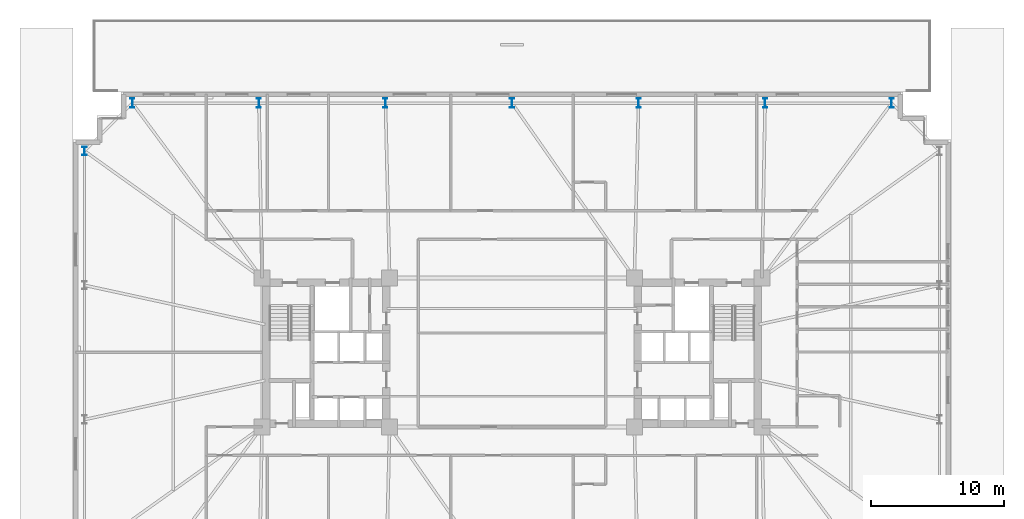
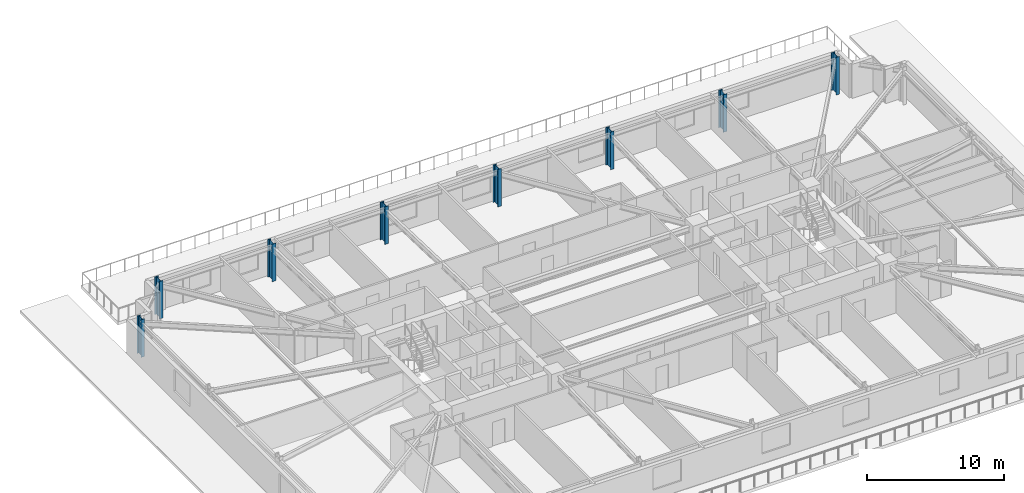
# One storey, part 2 of 21: 8 columns.
"""IFC4 building model written with IfcOpenShell, lengths in metres."""

import ifcopenshell
import ifcopenshell.guid

model = None  # the IFC model being written
_history = None  # IfcOwnerHistory: only IFC2X3 demands one
_inside = {}  # id of a spatial element -> (the spatial element, [elements in it])
_under = {}  # id of a project, library or spatial element -> (it, [spatial elements below it])
_declared = {}  # id of a project -> (the project, [libraries it declares])
_typed = {}  # id of a type object -> (the type object, [elements of that type])
_made_of = {}  # id of a material, layer set ... -> (it, [elements and type objects made of it])


def new_model(schema):
    """Start an empty IFC model of exactly this schema.

    Asked for "IFC4X3", IfcOpenShell would pick the latest addendum, in which some entities
    have other attributes; the version numbers below select the first issue.
    IFC2X3 requires an IfcOwnerHistory on every rooted entity: one is made here for all.
    """
    global model, _history
    if schema == "IFC4X3":
        model = ifcopenshell.file(schema_version=(4, 3, 0, 0))
    else:
        model = ifcopenshell.file(schema=schema)
    _inside.clear()
    _under.clear()
    _declared.clear()
    _typed.clear()
    _made_of.clear()
    _history = None
    if model.schema == "IFC2X3":
        org = make("IfcOrganization", Name="unknown")
        user = make(
            "IfcPersonAndOrganization",
            ThePerson=make("IfcPerson", FamilyName="unknown"),
            TheOrganization=org,
        )
        app = make(
            "IfcApplication",
            ApplicationDeveloper=org,
            Version="unknown",
            ApplicationFullName="unknown",
            ApplicationIdentifier="unknown",
        )
        _history = make(
            "IfcOwnerHistory",
            OwningUser=user,
            OwningApplication=app,
            ChangeAction="ADDED",
            CreationDate=0,
        )
    return model


def make(cls, **values):
    """One entity of the class cls with the attributes given. An attribute that is None is left unset."""
    return model.create_entity(
        cls, **{name: value for name, value in values.items() if value is not None}
    )


def rooted(cls, **values):
    """An entity with a GlobalId (a new one), such as an element, a storey or a relation."""
    return make(cls, GlobalId=ifcopenshell.guid.new(), OwnerHistory=_history, **values)


def si_unit(unit_type, name, prefix=None):
    """IfcSIUnit, for example si_unit("LENGTHUNIT", "METRE", prefix="MILLI")."""
    return make("IfcSIUnit", UnitType=unit_type, Prefix=prefix, Name=name)


def assignment(units):
    """IfcUnitAssignment: the units of a project."""
    return None if units is None else make("IfcUnitAssignment", Units=units)


def point(xyz):
    """IfcCartesianPoint."""
    return None if xyz is None else make("IfcCartesianPoint", Coordinates=xyz)


def direction(xyz):
    """IfcDirection."""
    return None if xyz is None else make("IfcDirection", DirectionRatios=xyz)


def frame(location, z_axis=None, x_axis=None):
    """IfcAxis2Placement3D, a coordinate frame: its origin and axes. An axis left out is left unset."""
    return make(
        "IfcAxis2Placement3D",
        Location=point(location),
        Axis=direction(z_axis),
        RefDirection=direction(x_axis),
    )


def frame_2d(location, x_axis=None):
    """IfcAxis2Placement2D, a coordinate frame in the plane: its origin and x axis."""
    return make(
        "IfcAxis2Placement2D", Location=point(location), RefDirection=direction(x_axis)
    )


def origin():
    """The frame at (0, 0, 0) with its axes left unset."""
    return frame((0.0, 0.0, 0.0))


def origin_2d():
    """The frame at (0, 0) in the plane with its x axis left unset."""
    return frame_2d((0.0, 0.0))


def place(relative_to, where):
    """IfcLocalPlacement: puts the frame where relative to a parent placement (None: the world)."""
    return make(
        "IfcLocalPlacement", PlacementRelTo=relative_to, RelativePlacement=where
    )


def context(
    kind, dimensions, precision=None, world=None, true_north=None, identifier=None
):
    """IfcGeometricRepresentationContext, for example the 3D "Model" context."""
    return make(
        "IfcGeometricRepresentationContext",
        ContextIdentifier=identifier,
        ContextType=kind,
        CoordinateSpaceDimension=dimensions,
        Precision=precision,
        WorldCoordinateSystem=world,
        TrueNorth=true_north,
    )


def subcontext(parent, identifier, kind, view, scale=None):
    """IfcGeometricRepresentationSubContext, for example "Body" below "Model"."""
    return make(
        "IfcGeometricRepresentationSubContext",
        ContextIdentifier=identifier,
        ContextType=kind,
        ParentContext=parent,
        TargetScale=scale,
        TargetView=view,
    )


def project(units=None, contexts=None):
    """IfcProject with its units and contexts."""
    return rooted(
        "IfcProject",
        Name="project",
        RepresentationContexts=contexts,
        UnitsInContext=assignment(units),
    )


def spatial(cls, under=None, at=None, **own):
    """A site, building, storey or space (cls), placed at a placement, below another one or the project."""
    s = rooted(cls, ObjectPlacement=at, **own)
    if under is not None:
        _under.setdefault(under.id(), (under, []))[1].append(s)
    return s


def profile(cls, at=None, kind="AREA", **sizes):
    """A parametric profile (cls). Its sizes go by their IFC names, for example OverallWidth=200.0."""
    return make(cls, ProfileType=kind, Position=at, **sizes)


def i_section(**sizes):
    """IfcIShapeProfileDef."""
    return profile("IfcIShapeProfileDef", **sizes)


def extrude(swept, where, along, depth):
    """IfcExtrudedAreaSolid: the profile swept, set in the frame where, extruded along a direction by depth."""
    return make(
        "IfcExtrudedAreaSolid",
        SweptArea=swept,
        Position=where,
        ExtrudedDirection=direction(along),
        Depth=depth,
    )


def shape(context_of_items, identifier, shape_type, items):
    """IfcShapeRepresentation: the items that make up one representation, for example the "Body"."""
    return make(
        "IfcShapeRepresentation",
        ContextOfItems=context_of_items,
        RepresentationIdentifier=identifier,
        RepresentationType=shape_type,
        Items=items,
    )


def material(Name=None, Category=None):
    """IfcMaterial."""
    return make("IfcMaterial", Name=Name, Category=Category)


def material_profile(
    of_material, cross_section, Name=None, Category=None, Priority=None
):
    """IfcMaterialProfile: a cross section and its material."""
    return make(
        "IfcMaterialProfile",
        Name=Name,
        Material=of_material,
        Profile=cross_section,
        Priority=Priority,
        Category=Category,
    )


def profile_set(profiles, Name=None, composite=None):
    """IfcMaterialProfileSet."""
    return make(
        "IfcMaterialProfileSet",
        Name=Name,
        MaterialProfiles=profiles,
        CompositeProfile=composite,
    )


def made_of(thing, what):
    """Note that an element or type object is made of a material, layer set ...; save() writes the relation."""
    if what is not None:
        _made_of.setdefault(what.id(), (what, []))[1].append(thing)
    return thing


def type_object(cls, material=None, **own):
    """A type object (cls), such as IfcWallType, which elements share."""
    return made_of(rooted(cls, **own), material)


def element(
    cls,
    number,
    at=None,
    inside=None,
    cuts=None,
    type_object=None,
    material=None,
    context=None,
    identifier="Body",
    shape_type=None,
    held_by="IfcProductDefinitionShape",
    body=None,
    shapes=None,
    **own,
):
    """One element of the class cls, such as IfcWall. Its Tag is "e" and its number.

    at: its placement. inside: the storey or other place that contains it. cuts: it is an
    opening in that element (IfcRelVoidsElement). A single representation is given by context,
    identifier, shape_type and body (its items); several are given by shapes. held_by: the class
    of the entity that holds the representations. save() writes the other relations.
    """
    e = rooted(cls, Tag="e%d" % number, ObjectPlacement=at, **own)
    if body is not None:
        shapes = [shape(context, identifier, shape_type, body)]
    if shapes is not None:
        e.Representation = make(held_by, Representations=shapes)
    if inside is not None:
        _inside.setdefault(inside.id(), (inside, []))[1].append(e)
    if cuts is not None:
        rooted(
            "IfcRelVoidsElement", RelatingBuildingElement=cuts, RelatedOpeningElement=e
        )
    if type_object is not None:
        _typed.setdefault(type_object.id(), (type_object, []))[1].append(e)
    return made_of(e, material)


def aggregate(whole, parts):
    """IfcRelAggregates: a whole, such as a stair, and the parts it consists of."""
    return rooted("IfcRelAggregates", RelatingObject=whole, RelatedObjects=parts)


def save(model, path):
    """Write the relations noted so far, then the file.

    IfcRelAggregates (storeys below a building ...), IfcRelContainedInSpatialStructure (elements
    in a storey), IfcRelDefinesByType, IfcRelAssociatesMaterial and IfcRelDeclares: one each for
    every whole, place, type object, material and project.
    """
    for whole, parts in _under.values():
        aggregate(whole, parts)
    for where, things in _inside.values():
        rooted(
            "IfcRelContainedInSpatialStructure",
            RelatedElements=things,
            RelatingStructure=where,
        )
    for kind, things in _typed.values():
        rooted("IfcRelDefinesByType", RelatedObjects=things, RelatingType=kind)
    for what, things in _made_of.values():
        rooted("IfcRelAssociatesMaterial", RelatedObjects=things, RelatingMaterial=what)
    for by, libraries in _declared.values():
        rooted("IfcRelDeclares", RelatingContext=by, RelatedDefinitions=libraries)
    model.write(path)


model = new_model("IFC4")

# Units and contexts
model_context = context("Model", 3, precision=1e-05, world=origin(), true_north=direction((0.0, 1.0)))
body_context = subcontext(model_context, "Body", "Model", "MODEL_VIEW")
ifc_project = project(units=[si_unit("LENGTHUNIT", "METRE"), si_unit("AREAUNIT", "SQUARE_METRE"), si_unit("VOLUMEUNIT", "CUBIC_METRE"), si_unit("PLANEANGLEUNIT", "RADIAN"), si_unit("MASSUNIT", "GRAM", prefix="KILO")], contexts=[model_context])

# Site, building, storey
site_placement = place(None, origin())
site = spatial("IfcSite", under=ifc_project, at=site_placement, CompositionType="ELEMENT")
building_placement = place(site_placement, origin())
building = spatial("IfcBuilding", under=site, at=building_placement, Name="Qobustan Lattice House", CompositionType="ELEMENT")
storey_placement = place(building_placement, frame((0.0, 0.0, 27.0)))
storey = spatial("IfcBuildingStorey", under=building, at=storey_placement, Name="L06", CompositionType="ELEMENT", Elevation=27.0)

# Columns
ifc_material_1 = material(Name="Steel S460", Category="steel")
ifc_material_profile_1 = material_profile(ifc_material_1, i_section(OverallWidth=0.304931640625, OverallDepth=0.6201171875, WebThickness=0.02099609375, FlangeThickness=0.0400390625, FilletRadius=0.027099609375, at=origin_2d()), Name="HEM600")
ifc_profile_set_1 = profile_set([ifc_material_profile_1], Name="Steel S460")
column_type_1 = type_object("IfcColumnType", Name="COL-ST-HEM600", PredefinedType="COLUMN", material=ifc_profile_set_1)
column_placement = place(storey_placement, frame((-32.14990234375, 15.14990234375, 0.0), z_axis=(0.0, 0.0, 1.0), x_axis=(1.0, 0.0, 0.0)))
element("IfcColumn", 1, at=column_placement, inside=storey, type_object=column_type_1, Name="L06 B1 perimeter column W1", PredefinedType="COLUMN", context=body_context, shape_type="SweptSolid", body=[
    extrude(i_section(OverallWidth=0.304931640625, OverallDepth=0.6201171875, WebThickness=0.02099609375, FlangeThickness=0.0400390625, FilletRadius=0.027099609375, at=origin_2d()), origin(), (0.0, 0.0, 1.0), 3.35009765625),
])
ifc_material_2 = material(Name="Steel S460", Category="steel")
ifc_material_profile_2 = material_profile(ifc_material_2, i_section(OverallWidth=0.303955078125, OverallDepth=0.716064453125, WebThickness=0.02099609375, FlangeThickness=0.0400390625, FilletRadius=0.027099609375, at=origin_2d()), Name="HEM700")
ifc_profile_set_2 = profile_set([ifc_material_profile_2], Name="Steel S460")
column_type_2 = type_object("IfcColumnType", Name="COL-ST-HEM700", PredefinedType="COLUMN", material=ifc_profile_set_2)
for number, where, z_axis, x_axis, name in (
    (2, (28.550048828125, 18.75, 0.0), (0.0, 0.0, 1.0), (1.0, 0.0, 0.0), "L06 B1 perimeter column N1"),
    (3, (19.033203125, 18.75, 0.0), (0.0, 0.0, 1.0), (1.0, 0.0, 0.0), "L06 B1 perimeter column N2"),
    (4, (9.5166015625, 18.75, 0.0), (0.0, 0.0, 1.0), (1.0, 0.0, 0.0), "L06 B1 perimeter column N3"),
    (5, (0.0, 18.75, 0.0), (0.0, 0.0, 1.0), (1.0, 0.0, 0.0), "L06 B1 perimeter column N4"),
    (6, (-9.5166015625, 18.75, 0.0), (0.0, 0.0, 1.0), (1.0, 0.0, 0.0), "L06 B1 perimeter column N5"),
    (7, (-19.033203125, 18.75, 0.0), (0.0, 0.0, 1.0), (1.0, 0.0, 0.0), "L06 B1 perimeter column N6"),
    (8, (-28.550048828125, 18.75, 0.0), (0.0, 0.0, 1.0), (1.0, 0.0, 0.0), "L06 B1 perimeter column N7"),
):
    element("IfcColumn", number, at=place(storey_placement, frame(where, z_axis=z_axis, x_axis=x_axis)), inside=storey, type_object=column_type_2, Name=name, PredefinedType="COLUMN", context=body_context, shape_type="SweptSolid", body=[
        extrude(i_section(OverallWidth=0.303955078125, OverallDepth=0.716064453125, WebThickness=0.02099609375, FlangeThickness=0.0400390625, FilletRadius=0.027099609375, at=origin_2d()), origin(), (0.0, 0.0, 1.0), 3.35009765625),
    ])

save(model, "model.ifc")
